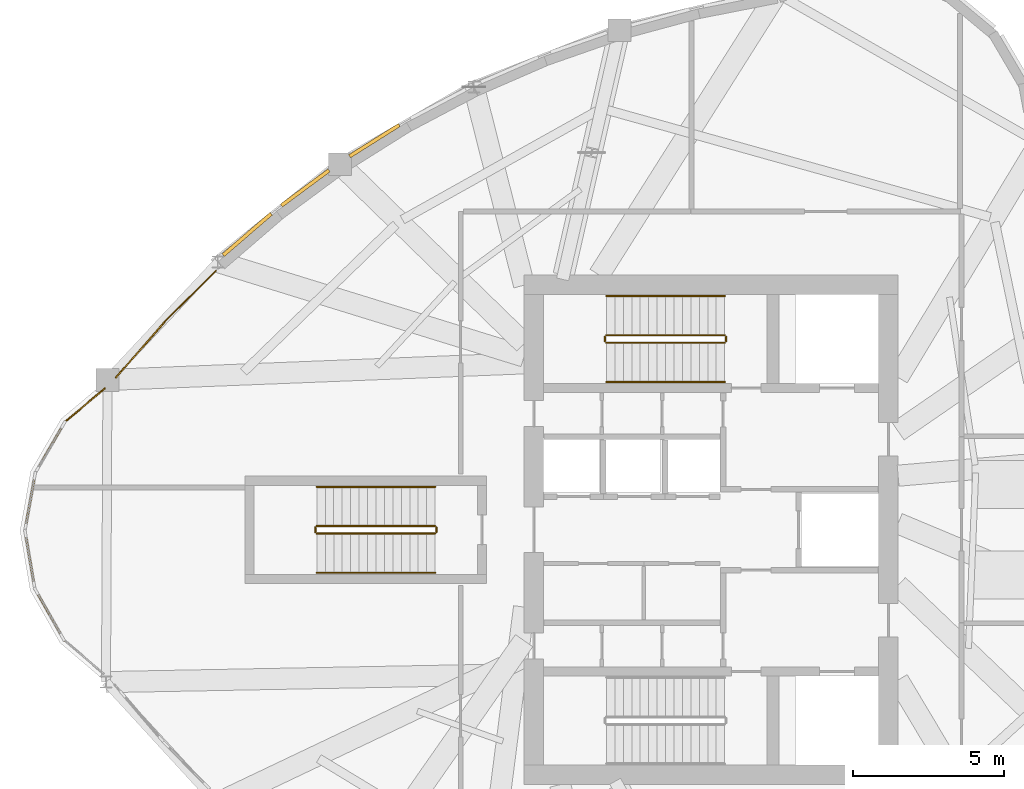
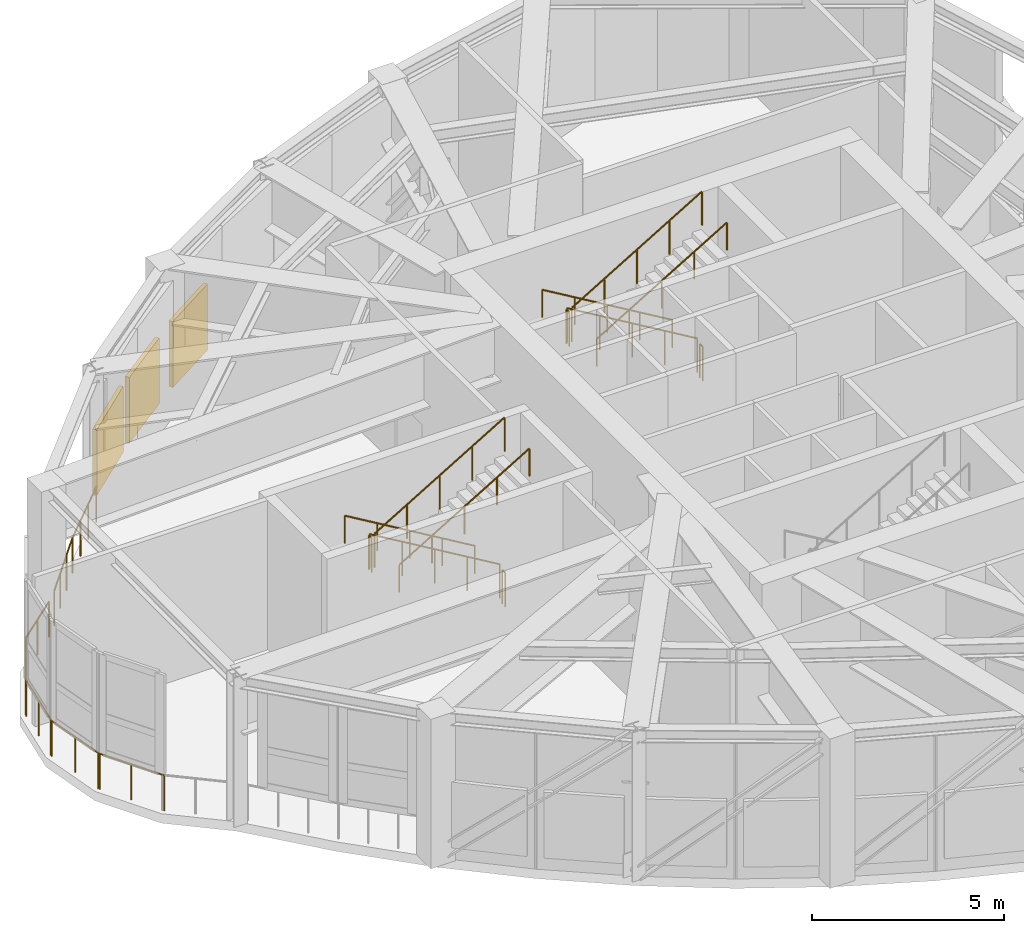
# One storey, part 9 of 10: 19 railings, 3 shading devices.
"""IFC4 building model written with IfcOpenShell, lengths in metres."""

from ifc_helpers import new_model, si_unit, direction, frame, origin, origin_2d, place, context, subcontext, project, spatial, rectangle, circle, extrude, source, transform, mapped, material, layer, layer_set, type_object, element, save


model = new_model("IFC4")

# Units and contexts
model_context = context("Model", 3, precision=1e-05, world=origin(), true_north=direction((0.0, 1.0)))
body_context = subcontext(model_context, "Body", "Model", "MODEL_VIEW")
ifc_project = project(units=[si_unit("LENGTHUNIT", "METRE"), si_unit("AREAUNIT", "SQUARE_METRE"), si_unit("VOLUMEUNIT", "CUBIC_METRE"), si_unit("PLANEANGLEUNIT", "RADIAN"), si_unit("MASSUNIT", "GRAM", prefix="KILO")], contexts=[model_context])

# Site, building, storey
site_placement = place(None, origin())
site = spatial("IfcSite", under=ifc_project, at=site_placement, CompositionType="ELEMENT")
building_placement = place(site_placement, origin())
building = spatial("IfcBuilding", under=site, at=building_placement, Name="Qafzar Sky-Pleat Residences", CompositionType="ELEMENT")
storey_placement = place(building_placement, frame((0.0, 0.0, 190.60009765625)))
storey = spatial("IfcBuildingStorey", under=building, at=storey_placement, Name="L57", CompositionType="ELEMENT", Elevation=190.60009765625)

# Railings
ifc_material_1 = material(Name="Galvanised and bronze-coated Steel S355 guardrail", Category="steel")
railing_type_1 = type_object("IfcRailingType", Name="RAIL-EXT-1150", PredefinedType="GUARDRAIL", material=ifc_material_1)
shared_shape_1 = source(origin(), body_context, "Body", "SweptSolid", [
    extrude(circle(Radius=0.02392578125, at=origin_2d()), frame((0.0, 0.0, 1.1259765625), z_axis=(-0.76661116086, -0.6421116165, 0.0), x_axis=(0.6421116165, -0.76661116086, 0.0)), (0.0, 0.0, 1.0), 1.755126953125),
    extrude(circle(Radius=0.02099609375, at=origin_2d()), origin(), (0.0, 0.0, 1.0), 1.101806640625),
    extrude(circle(Radius=0.02099609375, at=origin_2d()), frame((-0.6728515625, -0.5634765625, 0.0)), (0.0, 0.0, 1.0), 1.101806640625),
    extrude(circle(Radius=0.02099609375, at=origin_2d()), frame((-1.345458984375, -1.126953125, 0.0)), (0.0, 0.0, 1.0), 1.101806640625),
])
railing_1_placement = place(storey_placement, frame((10.249267578125, 30.683837890625, 0.0)))
element("IfcRailing", 1, at=railing_1_placement, inside=storey, type_object=railing_type_1, Name="L57 Wind-Turbine Slot Edge Guard 1", PredefinedType="GUARDRAIL", context=body_context, shape_type="MappedRepresentation", body=[
    mapped(shared_shape_1, transform((0.0, 0.0, 0.0), x_axis=(1.0, 0.0, 0.0), y_axis=(0.0, 1.0, 0.0), z_axis=(0.0, 0.0, 1.0), scale=1.0)),
])
shared_shape_2 = source(origin(), body_context, "Body", "SweptSolid", [
    extrude(circle(Radius=0.02392578125, at=origin_2d()), frame((0.0, 0.0, 1.1259765625), z_axis=(-0.502015079421, -0.864858867119, 0.0), x_axis=(0.864858867119, -0.502015079421, 0.0)), (0.0, 0.0, 1.0), 2.005126953125),
    extrude(circle(Radius=0.02099609375, at=origin_2d()), origin(), (0.0, 0.0, 1.0), 1.101806640625),
    extrude(circle(Radius=0.02099609375, at=origin_2d()), frame((-0.50341796875, -0.8671875, 0.0)), (0.0, 0.0, 1.0), 1.101806640625),
    extrude(circle(Radius=0.02099609375, at=origin_2d()), frame((-1.006591796875, -1.734130859375, 0.0)), (0.0, 0.0, 1.0), 1.101806640625),
])
railing_2_placement = place(storey_placement, frame((8.939453125, 29.59912109375, 0.0)))
element("IfcRailing", 2, at=railing_2_placement, inside=storey, type_object=railing_type_1, Name="L57 Wind-Turbine Slot Edge Guard 2", PredefinedType="GUARDRAIL", context=body_context, shape_type="MappedRepresentation", body=[
    mapped(shared_shape_2, transform((0.0, 0.0, 0.0), x_axis=(1.0, 0.0, 0.0), y_axis=(0.0, 1.0, 0.0), z_axis=(0.0, 0.0, 1.0), scale=1.0)),
])
shared_shape_3 = source(origin(), body_context, "Body", "SweptSolid", [
    extrude(circle(Radius=0.02392578125, at=origin_2d()), frame((0.0, 0.0, 1.1259765625), z_axis=(-0.177653050556, -0.984093183407, 0.0), x_axis=(0.984093183407, -0.177653050556, 0.0)), (0.0, 0.0, 1.0), 2.005126953125),
    extrude(circle(Radius=0.02099609375, at=origin_2d()), origin(), (0.0, 0.0, 1.0), 1.101806640625),
    extrude(circle(Radius=0.02099609375, at=origin_2d()), frame((-0.17822265625, -0.986572265625, 0.0)), (0.0, 0.0, 1.0), 1.101806640625),
    extrude(circle(Radius=0.02099609375, at=origin_2d()), frame((-0.356201171875, -1.97314453125, 0.0)), (0.0, 0.0, 1.0), 1.101806640625),
])
railing_3_placement = place(storey_placement, frame((7.951904296875, 27.9169921875, 0.0)))
element("IfcRailing", 3, at=railing_3_placement, inside=storey, type_object=railing_type_1, Name="L57 Wind-Turbine Slot Edge Guard 3", PredefinedType="GUARDRAIL", context=body_context, shape_type="MappedRepresentation", body=[
    mapped(shared_shape_3, transform((0.0, 0.0, 0.0), x_axis=(1.0, 0.0, 0.0), y_axis=(0.0, 1.0, 0.0), z_axis=(0.0, 0.0, 1.0), scale=1.0)),
])
shared_shape_4 = source(origin(), body_context, "Body", "SweptSolid", [
    extrude(circle(Radius=0.02392578125, at=origin_2d()), frame((0.0, 0.0, 1.1259765625), z_axis=(0.168030974324, -0.985781716034, 0.0), x_axis=(0.985781716034, 0.168030974324, 0.0)), (0.0, 0.0, 1.0), 2.005126953125),
    extrude(circle(Radius=0.02099609375, at=origin_2d()), origin(), (0.0, 0.0, 1.0), 1.101806640625),
    extrude(circle(Radius=0.02099609375, at=origin_2d()), frame((0.16845703125, -0.98828125, 0.0)), (0.0, 0.0, 1.0), 1.101806640625),
    extrude(circle(Radius=0.02099609375, at=origin_2d()), frame((0.3369140625, -1.9765625, 0.0)), (0.0, 0.0, 1.0), 1.101806640625),
])
railing_4_placement = place(storey_placement, frame((7.595947265625, 25.999267578125, 0.0)))
element("IfcRailing", 4, at=railing_4_placement, inside=storey, type_object=railing_type_1, Name="L57 Wind-Turbine Slot Edge Guard 4", PredefinedType="GUARDRAIL", context=body_context, shape_type="MappedRepresentation", body=[
    mapped(shared_shape_4, transform((0.0, 0.0, 0.0), x_axis=(1.0, 0.0, 0.0), y_axis=(0.0, 1.0, 0.0), z_axis=(0.0, 0.0, 1.0), scale=1.0)),
])
shared_shape_5 = source(origin(), body_context, "Body", "SweptSolid", [
    extrude(circle(Radius=0.02392578125, at=origin_2d()), frame((0.0, 0.0, 1.1259765625), z_axis=(0.493645345651, -0.869663309975, 0.0), x_axis=(0.869663309975, 0.493645345651, 0.0)), (0.0, 0.0, 1.0), 2.0048828125),
    extrude(circle(Radius=0.02099609375, at=origin_2d()), origin(), (0.0, 0.0, 1.0), 1.101806640625),
    extrude(circle(Radius=0.02099609375, at=origin_2d()), frame((0.494873046875, -0.871826171875, 0.0)), (0.0, 0.0, 1.0), 1.101806640625),
    extrude(circle(Radius=0.02099609375, at=origin_2d()), frame((0.98974609375, -1.74365234375, 0.0)), (0.0, 0.0, 1.0), 1.101806640625),
])
railing_5_placement = place(storey_placement, frame((7.914306640625, 24.07470703125, 0.0)))
element("IfcRailing", 5, at=railing_5_placement, inside=storey, type_object=railing_type_1, Name="L57 Wind-Turbine Slot Edge Guard 5", PredefinedType="GUARDRAIL", context=body_context, shape_type="MappedRepresentation", body=[
    mapped(shared_shape_5, transform((0.0, 0.0, 0.0), x_axis=(1.0, 0.0, 0.0), y_axis=(0.0, 1.0, 0.0), z_axis=(0.0, 0.0, 1.0), scale=1.0)),
])

# Shading devices
ifc_material_2 = material(Name="Anodised bronze aluminium acoustic louvre", Category="aluminium")
ifc_layer = layer(ifc_material_2, 0.1201171875)
ifc_layer_set = layer_set([ifc_layer], Name="Anodised bronze aluminium acoustic louvre")
shading_device_type = type_object("IfcShadingDeviceType", Name="SHD-LOUVRE-PLANT", PredefinedType="JALOUSIE", material=ifc_layer_set)
shared_shape_6 = source(origin(), body_context, "Body", "SweptSolid", [
    extrude(rectangle(XDim=2.10107421875, YDim=0.1201171875, at=origin_2d()), origin(), (0.0, 0.0, 1.0), 2.10009765625),
])
shading_device_1_placement = place(storey_placement, frame((14.97119140625, 35.790771484375, 0.449951171875), z_axis=(0.0, 0.0, 1.0), x_axis=(-0.757487878678, -0.652849227354, 0.0)))
element("IfcShadingDevice", 6, at=shading_device_1_placement, inside=storey, type_object=shading_device_type, Name="L57 Plant Acoustic Louvre 46", PredefinedType="JALOUSIE", context=body_context, shape_type="MappedRepresentation", body=[
    mapped(shared_shape_6, transform((0.0, 0.0, 0.0), x_axis=(1.0, 0.0, 0.0), y_axis=(0.0, 1.0, 0.0), z_axis=(0.0, 0.0, 1.0), scale=1.0)),
])
shared_shape_7 = source(origin(), body_context, "Body", "SweptSolid", [
    extrude(rectangle(XDim=1.94970703125, YDim=0.1201171875, at=origin_2d()), origin(), (0.0, 0.0, 1.0), 2.10009765625),
])
shading_device_2_placement = place(storey_placement, frame((19.18798828125, 38.89892578125, 0.449951171875), z_axis=(0.0, 0.0, 1.0), x_axis=(-0.846410939403, -0.532530301164, 0.0)))
element("IfcShadingDevice", 7, at=shading_device_2_placement, inside=storey, type_object=shading_device_type, Name="L57 Plant Acoustic Louvre 44", PredefinedType="JALOUSIE", context=body_context, shape_type="MappedRepresentation", body=[
    mapped(shared_shape_7, transform((0.0, 0.0, 0.0), x_axis=(1.0, 0.0, 0.0), y_axis=(0.0, 1.0, 0.0), z_axis=(0.0, 0.0, 1.0), scale=1.0)),
])
shared_shape_8 = source(origin(), body_context, "Body", "SweptSolid", [
    extrude(rectangle(XDim=1.961669921875, YDim=0.1201171875, at=origin_2d()), origin(), (0.0, 0.0, 1.0), 2.10009765625),
])
shading_device_3_placement = place(storey_placement, frame((16.895263671875, 37.33251953125, 0.449951171875), z_axis=(0.0, 0.0, 1.0), x_axis=(-0.803830198615, -0.59485881669, 0.0)))
element("IfcShadingDevice", 8, at=shading_device_3_placement, inside=storey, type_object=shading_device_type, Name="L57 Plant Acoustic Louvre 45", PredefinedType="JALOUSIE", context=body_context, shape_type="MappedRepresentation", body=[
    mapped(shared_shape_8, transform((0.0, 0.0, 0.0), x_axis=(1.0, 0.0, 0.0), y_axis=(0.0, 1.0, 0.0), z_axis=(0.0, 0.0, 1.0), scale=1.0)),
])

# Railings
shared_shape_9 = source(origin(), body_context, "Body", "SweptSolid", [
    extrude(circle(Radius=0.02392578125, at=origin_2d()), frame((0.0, 0.0, 1.1259765625), z_axis=(-0.708376406405, -0.705834872225, 0.0), x_axis=(0.705834872225, -0.708376406405, 0.0)), (0.0, 0.0, 1.0), 2.401611328125),
    extrude(circle(Radius=0.02099609375, at=origin_2d()), origin(), (0.0, 0.0, 1.0), 1.101806640625),
    extrude(circle(Radius=0.02099609375, at=origin_2d()), frame((-0.567138671875, -0.56494140625, 0.0)), (0.0, 0.0, 1.0), 1.101806640625),
    extrude(circle(Radius=0.02099609375, at=origin_2d()), frame((-1.134033203125, -1.130126953125, 0.0)), (0.0, 0.0, 1.0), 1.101806640625),
    extrude(circle(Radius=0.02099609375, at=origin_2d()), frame((-1.701171875, -1.695068359375, 0.0)), (0.0, 0.0, 1.0), 1.101806640625),
])
railing_6_placement = place(storey_placement, frame((13.93310546875, 34.5888671875, 0.0)))
element("IfcRailing", 9, at=railing_6_placement, inside=storey, type_object=railing_type_1, Name="L57 Wind-Turbine Slot Edge Guard 47", PredefinedType="GUARDRAIL", context=body_context, shape_type="MappedRepresentation", body=[
    mapped(shared_shape_9, transform((0.0, 0.0, 0.0), x_axis=(1.0, 0.0, 0.0), y_axis=(0.0, 1.0, 0.0), z_axis=(0.0, 0.0, 1.0), scale=1.0)),
])
shared_shape_10 = source(origin(), body_context, "Body", "SweptSolid", [
    extrude(circle(Radius=0.02392578125, at=origin_2d()), frame((0.0, 0.0, 1.1259765625), z_axis=(-0.657561921525, -0.753400503955, 0.0), x_axis=(0.753400503955, -0.657561921525, 0.0)), (0.0, 0.0, 1.0), 2.458251953125),
    extrude(circle(Radius=0.02099609375, at=origin_2d()), origin(), (0.0, 0.0, 1.0), 1.101806640625),
    extrude(circle(Radius=0.02099609375, at=origin_2d()), frame((-0.538818359375, -0.617431640625, 0.0)), (0.0, 0.0, 1.0), 1.101806640625),
    extrude(circle(Radius=0.02099609375, at=origin_2d()), frame((-1.07763671875, -1.234619140625, 0.0)), (0.0, 0.0, 1.0), 1.101806640625),
    extrude(circle(Radius=0.02099609375, at=origin_2d()), frame((-1.616455078125, -1.85205078125, 0.0)), (0.0, 0.0, 1.0), 1.101806640625),
])
railing_7_placement = place(storey_placement, frame((12.239501953125, 32.902099609375, 0.0)))
element("IfcRailing", 10, at=railing_7_placement, inside=storey, type_object=railing_type_1, Name="L57 Wind-Turbine Slot Edge Guard 48", PredefinedType="GUARDRAIL", context=body_context, shape_type="MappedRepresentation", body=[
    mapped(shared_shape_10, transform((0.0, 0.0, 0.0), x_axis=(1.0, 0.0, 0.0), y_axis=(0.0, 1.0, 0.0), z_axis=(0.0, 0.0, 1.0), scale=1.0)),
])
ifc_material_3 = material(Name="Painted Steel S355 stair guardrail", Category="steel")
railing_type_2 = type_object("IfcRailingType", Name="RAIL-STAIR-GUARD", PredefinedType="GUARDRAIL", material=ifc_material_3)
shared_shape_11 = source(origin(), body_context, "Body", "SweptSolid", [
    extrude(circle(Radius=0.02392578125, at=origin_2d()), frame((0.0, 0.0, 1.076171875), z_axis=(0.0, -1.0, 0.0), x_axis=(1.0, 0.0, 0.0)), (0.0, 0.0, 1.0), 0.14990234375),
    extrude(circle(Radius=0.02099609375, at=origin_2d()), origin(), (0.0, 0.0, 1.0), 1.052001953125),
    extrude(circle(Radius=0.02099609375, at=origin_2d()), frame((0.0, -0.14990234375, 0.0)), (0.0, 0.0, 1.0), 1.052001953125),
])
for number, where, name in (
    (11, (26.830078125, 32.39990234375, 2.5), "L57 ST2 stair guard 2"),
    (12, (30.85009765625, 32.39990234375, 0.0), "L57 ST2 stair guard 4"),
    (13, (17.22998046875, 26.074951171875, 2.5), "L57 ST3 stair guard 2"),
    (14, (21.25, 26.074951171875, 0.0), "L57 ST3 stair guard 4"),
):
    element("IfcRailing", number, at=place(storey_placement, frame(where)), inside=storey, type_object=railing_type_2, Name=name, PredefinedType="GUARDRAIL", context=body_context, shape_type="MappedRepresentation", body=[
        mapped(shared_shape_11, transform((0.0, 0.0, 0.0), x_axis=(1.0, 0.0, 0.0), y_axis=(0.0, 1.0, 0.0), z_axis=(0.0, 0.0, 1.0), scale=1.0)),
    ])
shared_shape_12 = source(origin(), body_context, "Body", "SweptSolid", [
    extrude(circle(Radius=0.02392578125, at=origin_2d()), frame((0.0, 0.0, 1.076171875), z_axis=(-0.859286724212, 0.0, 0.511494208758), x_axis=(0.0, -1.0, 0.0)), (0.0, 0.0, 1.0), 4.56201171875),
    extrude(circle(Radius=0.02099609375, at=origin_2d()), origin(), (0.0, 0.0, 1.0), 1.052001953125),
    extrude(circle(Radius=0.02099609375, at=origin_2d()), frame((-0.97998046875, 0.0, 0.58349609375)), (0.0, 0.0, 1.0), 1.052001953125),
    extrude(circle(Radius=0.02099609375, at=origin_2d()), frame((-1.9599609375, 0.0, 1.166748046875)), (0.0, 0.0, 1.0), 1.052001953125),
    extrude(circle(Radius=0.02099609375, at=origin_2d()), frame((-2.940185546875, 0.0, 1.75)), (0.0, 0.0, 1.0), 1.052001953125),
    extrude(circle(Radius=0.02099609375, at=origin_2d()), frame((-3.920166015625, 0.0, 2.33349609375)), (0.0, 0.0, 1.0), 1.052001953125),
])
railing_8_placement = place(storey_placement, frame((30.800048828125, 32.449951171875, 0.16650390625)))
element("IfcRailing", 15, at=railing_8_placement, inside=storey, type_object=railing_type_2, Name="L57 ST2 stair guard 1", PredefinedType="GUARDRAIL", context=body_context, shape_type="MappedRepresentation", body=[
    mapped(shared_shape_12, transform((0.0, 0.0, 0.0), x_axis=(1.0, 0.0, 0.0), y_axis=(0.0, 1.0, 0.0), z_axis=(0.0, 0.0, 1.0), scale=1.0)),
])
shared_shape_13 = source(origin(), body_context, "Body", "SweptSolid", [
    extrude(circle(Radius=0.02392578125, at=origin_2d()), frame((0.0, 0.0, 1.076171875), z_axis=(0.859286724212, 0.0, 0.511494208758), x_axis=(0.0, 1.0, 0.0)), (0.0, 0.0, 1.0), 4.56201171875),
    extrude(circle(Radius=0.02099609375, at=origin_2d()), origin(), (0.0, 0.0, 1.0), 1.052001953125),
    extrude(circle(Radius=0.02099609375, at=origin_2d()), frame((0.97998046875, 0.0, 0.58349609375)), (0.0, 0.0, 1.0), 1.052001953125),
    extrude(circle(Radius=0.02099609375, at=origin_2d()), frame((1.9599609375, 0.0, 1.166748046875)), (0.0, 0.0, 1.0), 1.052001953125),
    extrude(circle(Radius=0.02099609375, at=origin_2d()), frame((2.940185546875, 0.0, 1.75)), (0.0, 0.0, 1.0), 1.052001953125),
    extrude(circle(Radius=0.02099609375, at=origin_2d()), frame((3.920166015625, 0.0, 2.33349609375)), (0.0, 0.0, 1.0), 1.052001953125),
])
railing_9_placement = place(storey_placement, frame((26.8798828125, 32.199951171875, 2.66650390625)))
element("IfcRailing", 16, at=railing_9_placement, inside=storey, type_object=railing_type_2, Name="L57 ST2 stair guard 3", PredefinedType="GUARDRAIL", context=body_context, shape_type="MappedRepresentation", body=[
    mapped(shared_shape_13, transform((0.0, 0.0, 0.0), x_axis=(1.0, 0.0, 0.0), y_axis=(0.0, 1.0, 0.0), z_axis=(0.0, 0.0, 1.0), scale=1.0)),
])
ifc_material_4 = material(Name="Brushed stainless steel handrail", Category="steel")
railing_type_3 = type_object("IfcRailingType", Name="RAIL-STAIR-HAND", PredefinedType="HANDRAIL", material=ifc_material_4)
shared_shape_14 = source(origin(), body_context, "Body", "SweptSolid", [
    extrude(circle(Radius=0.02392578125, at=origin_2d()), frame((0.0, 0.0, 0.8759765625), z_axis=(-0.859286724212, 0.0, 0.511494208758), x_axis=(0.0, -1.0, 0.0)), (0.0, 0.0, 1.0), 4.56201171875),
    extrude(circle(Radius=0.02099609375, at=origin_2d()), origin(), (0.0, 0.0, 1.0), 0.851806640625),
    extrude(circle(Radius=0.02099609375, at=origin_2d()), frame((-0.97998046875, 0.0, 0.58349609375)), (0.0, 0.0, 1.0), 0.851806640625),
    extrude(circle(Radius=0.02099609375, at=origin_2d()), frame((-1.9599609375, 0.0, 1.166748046875)), (0.0, 0.0, 1.0), 0.851806640625),
    extrude(circle(Radius=0.02099609375, at=origin_2d()), frame((-2.940185546875, 0.0, 1.75)), (0.0, 0.0, 1.0), 0.851806640625),
    extrude(circle(Radius=0.02099609375, at=origin_2d()), frame((-3.920166015625, 0.0, 2.33349609375)), (0.0, 0.0, 1.0), 0.851806640625),
])
railing_10_placement = place(storey_placement, frame((30.800048828125, 33.75, 0.16650390625)))
element("IfcRailing", 17, at=railing_10_placement, inside=storey, type_object=railing_type_3, Name="L57 ST2 stair handrail 1", PredefinedType="HANDRAIL", context=body_context, shape_type="MappedRepresentation", body=[
    mapped(shared_shape_14, transform((0.0, 0.0, 0.0), x_axis=(1.0, 0.0, 0.0), y_axis=(0.0, 1.0, 0.0), z_axis=(0.0, 0.0, 1.0), scale=1.0)),
])
shared_shape_15 = source(origin(), body_context, "Body", "SweptSolid", [
    extrude(circle(Radius=0.02392578125, at=origin_2d()), frame((0.0, 0.0, 0.8759765625), z_axis=(0.859286724212, 0.0, 0.511494208758), x_axis=(0.0, 1.0, 0.0)), (0.0, 0.0, 1.0), 4.56201171875),
    extrude(circle(Radius=0.02099609375, at=origin_2d()), origin(), (0.0, 0.0, 1.0), 0.851806640625),
    extrude(circle(Radius=0.02099609375, at=origin_2d()), frame((0.97998046875, 0.0, 0.58349609375)), (0.0, 0.0, 1.0), 0.851806640625),
    extrude(circle(Radius=0.02099609375, at=origin_2d()), frame((1.9599609375, 0.0, 1.166748046875)), (0.0, 0.0, 1.0), 0.851806640625),
    extrude(circle(Radius=0.02099609375, at=origin_2d()), frame((2.940185546875, 0.0, 1.75)), (0.0, 0.0, 1.0), 0.851806640625),
    extrude(circle(Radius=0.02099609375, at=origin_2d()), frame((3.920166015625, 0.0, 2.33349609375)), (0.0, 0.0, 1.0), 0.851806640625),
])
railing_11_placement = place(storey_placement, frame((26.8798828125, 30.89990234375, 2.66650390625)))
element("IfcRailing", 18, at=railing_11_placement, inside=storey, type_object=railing_type_3, Name="L57 ST2 stair handrail 2", PredefinedType="HANDRAIL", context=body_context, shape_type="MappedRepresentation", body=[
    mapped(shared_shape_15, transform((0.0, 0.0, 0.0), x_axis=(1.0, 0.0, 0.0), y_axis=(0.0, 1.0, 0.0), z_axis=(0.0, 0.0, 1.0), scale=1.0)),
])
shared_shape_16 = source(origin(), body_context, "Body", "SweptSolid", [
    extrude(circle(Radius=0.02392578125, at=origin_2d()), frame((0.0, 0.0, 1.076171875), z_axis=(-0.859272722373, 0.0, 0.511517730471), x_axis=(0.0, -1.0, 0.0)), (0.0, 0.0, 1.0), 4.56201171875),
    extrude(circle(Radius=0.02099609375, at=origin_2d()), origin(), (0.0, 0.0, 1.0), 1.052001953125),
    extrude(circle(Radius=0.02099609375, at=origin_2d()), frame((-0.97998046875, 0.0, 0.58349609375)), (0.0, 0.0, 1.0), 1.052001953125),
    extrude(circle(Radius=0.02099609375, at=origin_2d()), frame((-1.9599609375, 0.0, 1.166748046875)), (0.0, 0.0, 1.0), 1.052001953125),
    extrude(circle(Radius=0.02099609375, at=origin_2d()), frame((-2.93994140625, 0.0, 1.75)), (0.0, 0.0, 1.0), 1.052001953125),
    extrude(circle(Radius=0.02099609375, at=origin_2d()), frame((-3.919921875, 0.0, 2.33349609375)), (0.0, 0.0, 1.0), 1.052001953125),
])
railing_12_placement = place(storey_placement, frame((21.199951171875, 26.125, 0.16650390625)))
element("IfcRailing", 19, at=railing_12_placement, inside=storey, type_object=railing_type_2, Name="L57 ST3 stair guard 1", PredefinedType="GUARDRAIL", context=body_context, shape_type="MappedRepresentation", body=[
    mapped(shared_shape_16, transform((0.0, 0.0, 0.0), x_axis=(1.0, 0.0, 0.0), y_axis=(0.0, 1.0, 0.0), z_axis=(0.0, 0.0, 1.0), scale=1.0)),
])
shared_shape_17 = source(origin(), body_context, "Body", "SweptSolid", [
    extrude(circle(Radius=0.02392578125, at=origin_2d()), frame((0.0, 0.0, 1.076171875), z_axis=(0.859272722373, 0.0, 0.511517730471), x_axis=(0.0, 1.0, 0.0)), (0.0, 0.0, 1.0), 4.56201171875),
    extrude(circle(Radius=0.02099609375, at=origin_2d()), origin(), (0.0, 0.0, 1.0), 1.052001953125),
    extrude(circle(Radius=0.02099609375, at=origin_2d()), frame((0.97998046875, 0.0, 0.58349609375)), (0.0, 0.0, 1.0), 1.052001953125),
    extrude(circle(Radius=0.02099609375, at=origin_2d()), frame((1.9599609375, 0.0, 1.166748046875)), (0.0, 0.0, 1.0), 1.052001953125),
    extrude(circle(Radius=0.02099609375, at=origin_2d()), frame((2.93994140625, 0.0, 1.75)), (0.0, 0.0, 1.0), 1.052001953125),
    extrude(circle(Radius=0.02099609375, at=origin_2d()), frame((3.919921875, 0.0, 2.33349609375)), (0.0, 0.0, 1.0), 1.052001953125),
])
railing_13_placement = place(storey_placement, frame((17.280029296875, 25.875, 2.66650390625)))
element("IfcRailing", 20, at=railing_13_placement, inside=storey, type_object=railing_type_2, Name="L57 ST3 stair guard 3", PredefinedType="GUARDRAIL", context=body_context, shape_type="MappedRepresentation", body=[
    mapped(shared_shape_17, transform((0.0, 0.0, 0.0), x_axis=(1.0, 0.0, 0.0), y_axis=(0.0, 1.0, 0.0), z_axis=(0.0, 0.0, 1.0), scale=1.0)),
])
shared_shape_18 = source(origin(), body_context, "Body", "SweptSolid", [
    extrude(circle(Radius=0.02392578125, at=origin_2d()), frame((0.0, 0.0, 0.8759765625), z_axis=(-0.859272722373, 0.0, 0.511517730471), x_axis=(0.0, -1.0, 0.0)), (0.0, 0.0, 1.0), 4.56201171875),
    extrude(circle(Radius=0.02099609375, at=origin_2d()), origin(), (0.0, 0.0, 1.0), 0.851806640625),
    extrude(circle(Radius=0.02099609375, at=origin_2d()), frame((-0.97998046875, 0.0, 0.58349609375)), (0.0, 0.0, 1.0), 0.851806640625),
    extrude(circle(Radius=0.02099609375, at=origin_2d()), frame((-1.9599609375, 0.0, 1.166748046875)), (0.0, 0.0, 1.0), 0.851806640625),
    extrude(circle(Radius=0.02099609375, at=origin_2d()), frame((-2.93994140625, 0.0, 1.75)), (0.0, 0.0, 1.0), 0.851806640625),
    extrude(circle(Radius=0.02099609375, at=origin_2d()), frame((-3.919921875, 0.0, 2.33349609375)), (0.0, 0.0, 1.0), 0.851806640625),
])
railing_14_placement = place(storey_placement, frame((21.199951171875, 27.425048828125, 0.16650390625)))
element("IfcRailing", 21, at=railing_14_placement, inside=storey, type_object=railing_type_3, Name="L57 ST3 stair handrail 1", PredefinedType="HANDRAIL", context=body_context, shape_type="MappedRepresentation", body=[
    mapped(shared_shape_18, transform((0.0, 0.0, 0.0), x_axis=(1.0, 0.0, 0.0), y_axis=(0.0, 1.0, 0.0), z_axis=(0.0, 0.0, 1.0), scale=1.0)),
])
shared_shape_19 = source(origin(), body_context, "Body", "SweptSolid", [
    extrude(circle(Radius=0.02392578125, at=origin_2d()), frame((0.0, 0.0, 0.8759765625), z_axis=(0.859272722373, 0.0, 0.511517730471), x_axis=(0.0, 1.0, 0.0)), (0.0, 0.0, 1.0), 4.56201171875),
    extrude(circle(Radius=0.02099609375, at=origin_2d()), origin(), (0.0, 0.0, 1.0), 0.851806640625),
    extrude(circle(Radius=0.02099609375, at=origin_2d()), frame((0.97998046875, 0.0, 0.58349609375)), (0.0, 0.0, 1.0), 0.851806640625),
    extrude(circle(Radius=0.02099609375, at=origin_2d()), frame((1.9599609375, 0.0, 1.166748046875)), (0.0, 0.0, 1.0), 0.851806640625),
    extrude(circle(Radius=0.02099609375, at=origin_2d()), frame((2.93994140625, 0.0, 1.75)), (0.0, 0.0, 1.0), 0.851806640625),
    extrude(circle(Radius=0.02099609375, at=origin_2d()), frame((3.919921875, 0.0, 2.33349609375)), (0.0, 0.0, 1.0), 0.851806640625),
])
railing_15_placement = place(storey_placement, frame((17.280029296875, 24.574951171875, 2.66650390625)))
element("IfcRailing", 22, at=railing_15_placement, inside=storey, type_object=railing_type_3, Name="L57 ST3 stair handrail 2", PredefinedType="HANDRAIL", context=body_context, shape_type="MappedRepresentation", body=[
    mapped(shared_shape_19, transform((0.0, 0.0, 0.0), x_axis=(1.0, 0.0, 0.0), y_axis=(0.0, 1.0, 0.0), z_axis=(0.0, 0.0, 1.0), scale=1.0)),
])

save(model, "model.ifc")
